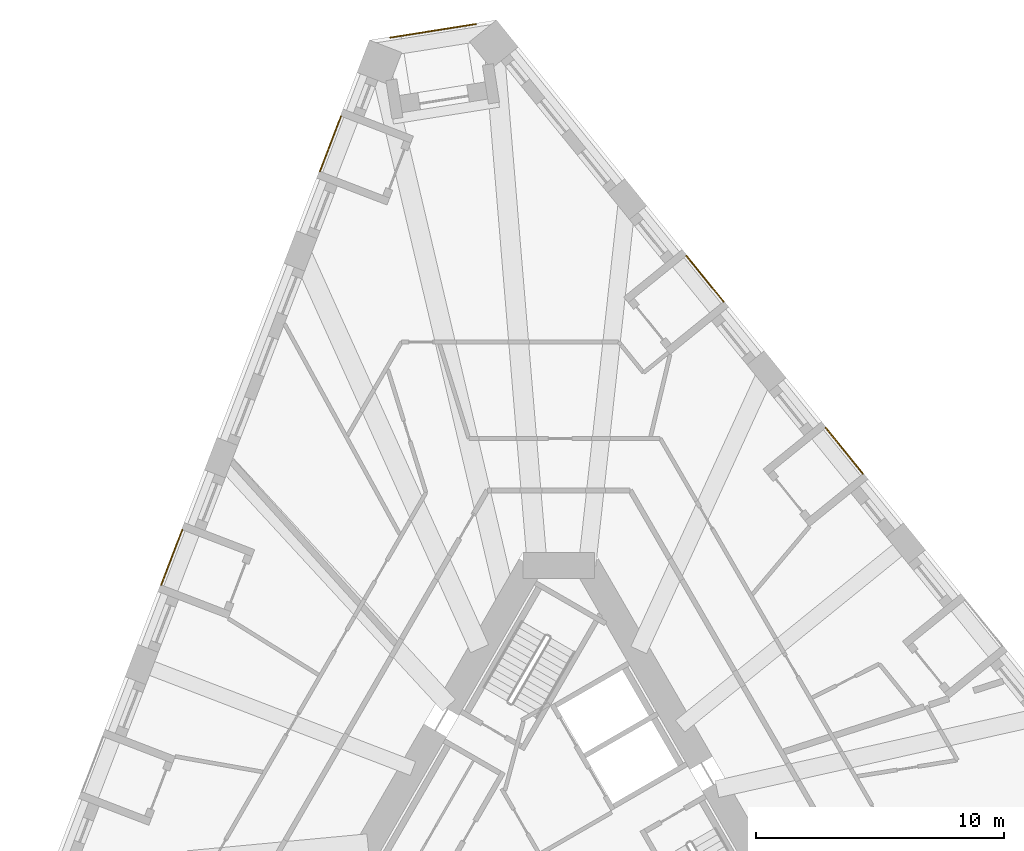
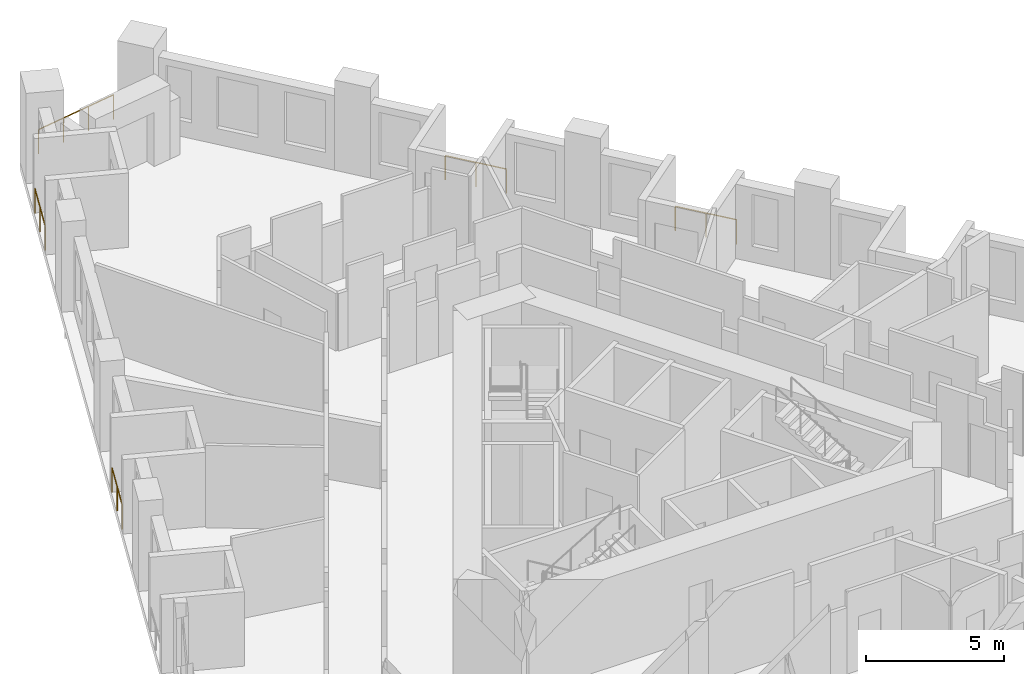
# One storey, part 14 of 14: 5 railings.
"""IFC4 building model written with IfcOpenShell, lengths in metres."""

from ifc_helpers import new_model, si_unit, direction, frame, origin, origin_2d, place, context, subcontext, project, spatial, circle, extrude, material, type_object, element, save


model = new_model("IFC4")

# Units and contexts
model_context = context("Model", 3, precision=1e-05, world=origin(), true_north=direction((0.0, 1.0)))
body_context = subcontext(model_context, "Body", "Model", "MODEL_VIEW")
ifc_project = project(units=[si_unit("LENGTHUNIT", "METRE"), si_unit("AREAUNIT", "SQUARE_METRE"), si_unit("VOLUMEUNIT", "CUBIC_METRE"), si_unit("PLANEANGLEUNIT", "RADIAN"), si_unit("MASSUNIT", "GRAM", prefix="KILO")], contexts=[model_context])

# Site, building, storey
site_placement = place(None, origin())
site = spatial("IfcSite", under=ifc_project, at=site_placement, CompositionType="ELEMENT")
building_placement = place(site_placement, origin())
building = spatial("IfcBuilding", under=site, at=building_placement, Name="Tramontana Tower", CompositionType="ELEMENT")
storey_placement = place(building_placement, frame((0.0, 0.0, 75.199951171875)))
storey = spatial("IfcBuildingStorey", under=building, at=storey_placement, Name="L16", CompositionType="ELEMENT", Elevation=75.199951171875)

# Railings
ifc_material = material(Name="Laminated glass balustrade", Category="glass")
railing_type = type_object("IfcRailingType", Name="GD1 Loggia glass balustrade 1100", PredefinedType="BALUSTRADE", material=ifc_material)
railing_1_placement = place(storey_placement, frame((-8.798828125, 28.61767578125, 0.0)))
element("IfcRailing", 1, at=railing_1_placement, inside=storey, type_object=railing_type, Name="Loggia balustrade L16 G1S0.1", PredefinedType="BALUSTRADE", context=body_context, shape_type="SweptSolid", body=[
    extrude(circle(Radius=0.02392578125, at=origin_2d()), frame((0.0, 0.0, 1.076171875), z_axis=(-0.35829926872, -0.933606787697, 0.0), x_axis=(0.933606787697, -0.35829926872, 0.0)), (0.0, 0.0, 1.0), 2.3828125),
    extrude(circle(Radius=0.02099609375, at=origin_2d()), origin(), (0.0, 0.0, 1.0), 1.052001953125),
    extrude(circle(Radius=0.02099609375, at=origin_2d()), frame((-0.4267578125, -1.1123046875, 0.0)), (0.0, 0.0, 1.0), 1.052001953125),
    extrude(circle(Radius=0.02099609375, at=origin_2d()), frame((-0.853759765625, -2.224609375, 0.0)), (0.0, 0.0, 1.0), 1.052001953125),
])
railing_2_placement = place(storey_placement, frame((-15.212646484375, 11.90869140625, 0.0)))
element("IfcRailing", 2, at=railing_2_placement, inside=storey, type_object=railing_type, Name="Loggia balustrade L16 G1S0.7", PredefinedType="BALUSTRADE", context=body_context, shape_type="SweptSolid", body=[
    extrude(circle(Radius=0.02392578125, at=origin_2d()), frame((0.0, 0.0, 1.076171875), z_axis=(-0.35838856932, -0.933572511046, 0.0), x_axis=(0.933572511046, -0.35838856932, 0.0)), (0.0, 0.0, 1.0), 2.3828125),
    extrude(circle(Radius=0.02099609375, at=origin_2d()), origin(), (0.0, 0.0, 1.0), 1.052001953125),
    extrude(circle(Radius=0.02099609375, at=origin_2d()), frame((-0.427001953125, -1.1123046875, 0.0)), (0.0, 0.0, 1.0), 1.052001953125),
    extrude(circle(Radius=0.02099609375, at=origin_2d()), frame((-0.85400390625, -2.224609375, 0.0)), (0.0, 0.0, 1.0), 1.052001953125),
])
railing_3_placement = place(storey_placement, frame((12.287841796875, 14.1748046875, 0.0)))
element("IfcRailing", 3, at=railing_3_placement, inside=storey, type_object=railing_type, Name="Loggia balustrade L16 G1S2.10", PredefinedType="BALUSTRADE", context=body_context, shape_type="SweptSolid", body=[
    extrude(circle(Radius=0.02392578125, at=origin_2d()), frame((0.0, 0.0, 1.076171875), z_axis=(-0.629319049918, 0.777147047482, 0.0), x_axis=(-0.777147047482, -0.629319049918, 0.0)), (0.0, 0.0, 1.0), 2.383056640625),
    extrude(circle(Radius=0.02099609375, at=origin_2d()), origin(), (0.0, 0.0, 1.0), 1.052001953125),
    extrude(circle(Radius=0.02099609375, at=origin_2d()), frame((-0.75, 0.926025390625, 0.0)), (0.0, 0.0, 1.0), 1.052001953125),
    extrude(circle(Radius=0.02099609375, at=origin_2d()), frame((-1.499755859375, 1.85205078125, 0.0)), (0.0, 0.0, 1.0), 1.052001953125),
])
railing_4_placement = place(storey_placement, frame((6.656005859375, 21.129638671875, 0.0)))
element("IfcRailing", 4, at=railing_4_placement, inside=storey, type_object=railing_type, Name="Loggia balustrade L16 G1S2.13", PredefinedType="BALUSTRADE", context=body_context, shape_type="SweptSolid", body=[
    extrude(circle(Radius=0.02392578125, at=origin_2d()), frame((0.0, 0.0, 1.076171875), z_axis=(-0.62930727886, 0.777156579316, 0.0), x_axis=(-0.777156579316, -0.62930727886, 0.0)), (0.0, 0.0, 1.0), 2.3828125),
    extrude(circle(Radius=0.02099609375, at=origin_2d()), origin(), (0.0, 0.0, 1.0), 1.052001953125),
    extrude(circle(Radius=0.02099609375, at=origin_2d()), frame((-0.749755859375, 0.92578125, 0.0)), (0.0, 0.0, 1.0), 1.052001953125),
    extrude(circle(Radius=0.02099609375, at=origin_2d()), frame((-1.49951171875, 1.851806640625, 0.0)), (0.0, 0.0, 1.0), 1.052001953125),
])
railing_5_placement = place(storey_placement, frame((-6.807861328125, 31.79638671875, 0.0)))
element("IfcRailing", 5, at=railing_5_placement, inside=storey, type_object=railing_type, Name="Corner loggia balustrade L16 K10", PredefinedType="BALUSTRADE", context=body_context, shape_type="SweptSolid", body=[
    extrude(circle(Radius=0.02392578125, at=origin_2d()), frame((0.0, 0.0, 1.076171875), z_axis=(0.987683654859, 0.156464046744, 0.0), x_axis=(-0.156464046744, 0.987683654859, 0.0)), (0.0, 0.0, 1.0), 3.5),
    extrude(circle(Radius=0.02099609375, at=origin_2d()), origin(), (0.0, 0.0, 1.0), 1.052001953125),
    extrude(circle(Radius=0.02099609375, at=origin_2d()), frame((1.15234375, 0.1826171875, 0.0)), (0.0, 0.0, 1.0), 1.052001953125),
    extrude(circle(Radius=0.02099609375, at=origin_2d()), frame((2.304443359375, 0.364990234375, 0.0)), (0.0, 0.0, 1.0), 1.052001953125),
    extrude(circle(Radius=0.02099609375, at=origin_2d()), frame((3.456787109375, 0.547607421875, 0.0)), (0.0, 0.0, 1.0), 1.052001953125),
])

save(model, "model.ifc")
